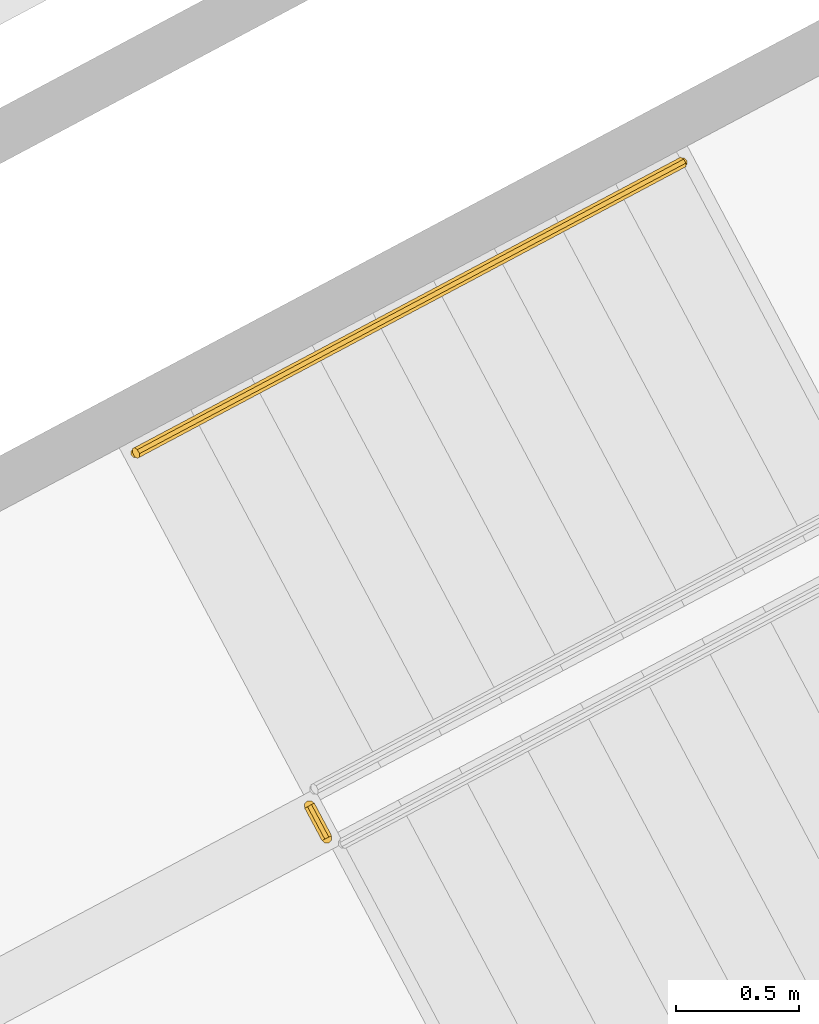
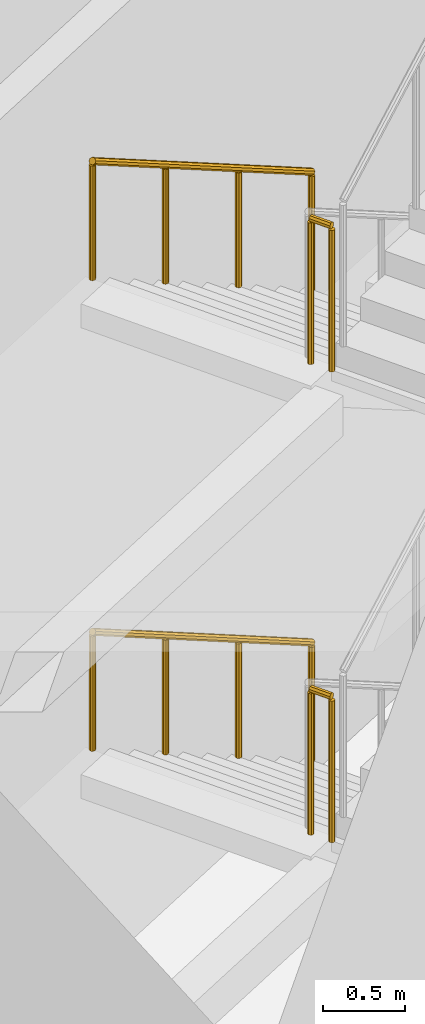
# One storey, part 51 of 57: 4 railings.
"""IFC4 building model written with IfcOpenShell, lengths in metres."""

from ifc_helpers import new_model, si_unit, direction, frame, origin, place, context, subcontext, project, spatial, polyline, outline, extrude, material, type_object, element, save


model = new_model("IFC4")

# Units and contexts
model_context = context("Model", 3, precision=1e-05, world=origin(), true_north=direction((0.0, 1.0)))
body_context = subcontext(model_context, "Body", "Model", "MODEL_VIEW")
ifc_project = project(units=[si_unit("LENGTHUNIT", "METRE"), si_unit("AREAUNIT", "SQUARE_METRE"), si_unit("VOLUMEUNIT", "CUBIC_METRE"), si_unit("PLANEANGLEUNIT", "RADIAN"), si_unit("MASSUNIT", "GRAM", prefix="KILO")], contexts=[model_context])

# Site, building, storey
site_placement = place(None, origin())
site = spatial("IfcSite", under=ifc_project, at=site_placement, CompositionType="ELEMENT")
building_placement = place(site_placement, origin())
building = spatial("IfcBuilding", under=site, at=building_placement, Name="Cormorant Relay Tower", CompositionType="ELEMENT")
storey_placement = place(building_placement, origin())
storey = spatial("IfcBuildingStorey", under=building, at=storey_placement, Name="L00", CompositionType="ELEMENT", Elevation=0.0)

# Railings
ifc_material_1 = material(Name="Steel ASTM A572 Grade 50 (Fy 345 MPa)", Category="steel")
railing_type_1 = type_object("IfcRailingType", Name="Stair guard 1100", PredefinedType="GUARDRAIL", material=ifc_material_1)
for number, where, name in (
    (1, (21.592529296875, 3.439697265625, 1.75), "L00 B1 stair guard 2"),
    (2, (21.592529296875, 3.439697265625, 5.25), "L00 B1 stair guard 6"),
):
    element("IfcRailing", number, at=place(storey_placement, frame(where)), inside=storey, type_object=railing_type_1, Name=name, PredefinedType="GUARDRAIL", context=body_context, shape_type="SweptSolid", body=[
        extrude(outline(polyline([(0.022216796875, 0.00927734375), (0.00927734375, 0.022216796875), (-0.00927734375, 0.022216796875), (-0.022216796875, 0.00927734375), (-0.022216796875, -0.00927734375), (-0.00927734375, -0.022216796875), (0.00927734375, -0.022216796875), (0.022216796875, -0.00927734375), (0.022216796875, 0.00927734375)])), frame((0.0, 0.0, 1.076171875), z_axis=(0.470503732759, -0.882398003998, 0.0), x_axis=(0.882398003998, 0.470503732759, 0.0)), (0.0, 0.0, 1.0), 0.14990234375),
        extrude(outline(polyline([(0.019287109375, 0.008056640625), (0.008056640625, 0.019287109375), (-0.008056640625, 0.019287109375), (-0.019287109375, 0.008056640625), (-0.019287109375, -0.008056640625), (-0.008056640625, -0.019287109375), (0.008056640625, -0.019287109375), (0.019287109375, -0.008056640625), (0.019287109375, 0.008056640625)])), origin(), (0.0, 0.0, 1.0), 1.052001953125),
        extrude(outline(polyline([(0.019287109375, 0.008056640625), (0.008056640625, 0.019287109375), (-0.008056640625, 0.019287109375), (-0.019287109375, 0.008056640625), (-0.019287109375, -0.008056640625), (-0.008056640625, -0.019287109375), (0.008056640625, -0.019287109375), (0.019287109375, -0.008056640625), (0.019287109375, 0.008056640625)])), frame((0.070556640625, -0.13232421875, 0.0)), (0.0, 0.0, 1.0), 1.052001953125),
    ])
ifc_material_2 = material(Name="Steel ASTM A572 Grade 50 (Fy 345 MPa)", Category="steel")
railing_type_2 = type_object("IfcRailingType", Name="Stair handrail 900", PredefinedType="HANDRAIL", material=ifc_material_2)
railing_1_placement = place(storey_placement, frame((23.110595703125, 6.05908203125, 0.175048828125)))
element("IfcRailing", 3, at=railing_1_placement, inside=storey, type_object=railing_type_2, Name="L00 B1 stair handrail 1", PredefinedType="HANDRAIL", context=body_context, shape_type="SweptSolid", body=[
    extrude(outline(polyline([(0.022216796875, 0.00927734375), (0.00927734375, 0.022216796875), (-0.00927734375, 0.022216796875), (-0.022216796875, 0.00927734375), (-0.022216796875, -0.00927734375), (-0.00927734375, -0.022216796875), (0.00927734375, -0.022216796875), (0.022216796875, -0.00927734375), (0.022216796875, 0.00927734375)])), frame((0.0, 0.0, 0.8759765625), z_axis=(-0.74875116571, -0.398118076479, 0.529975177748), x_axis=(0.4694715809, -0.882947583228, 0.0)), (0.0, 0.0, 1.0), 2.9716796875),
    extrude(outline(polyline([(0.019287109375, 0.008056640625), (0.008056640625, 0.019287109375), (-0.008056640625, 0.019287109375), (-0.019287109375, 0.008056640625), (-0.019287109375, -0.008056640625), (-0.008056640625, -0.019287109375), (0.008056640625, -0.019287109375), (0.019287109375, -0.008056640625), (0.019287109375, 0.008056640625)])), origin(), (0.0, 0.0, 1.0), 0.851806640625),
    extrude(outline(polyline([(0.019287109375, 0.008056640625), (0.008056640625, 0.019287109375), (-0.008056640625, 0.019287109375), (-0.019287109375, 0.008056640625), (-0.019287109375, -0.008056640625), (-0.008056640625, -0.019287109375), (0.008056640625, -0.019287109375), (0.019287109375, -0.008056640625), (0.019287109375, 0.008056640625)])), frame((-0.74169921875, -0.394287109375, 0.52490234375)), (0.0, 0.0, 1.0), 0.851806640625),
    extrude(outline(polyline([(0.019287109375, 0.008056640625), (0.008056640625, 0.019287109375), (-0.008056640625, 0.019287109375), (-0.019287109375, 0.008056640625), (-0.019287109375, -0.008056640625), (-0.008056640625, -0.019287109375), (0.008056640625, -0.019287109375), (0.019287109375, -0.008056640625), (0.019287109375, 0.008056640625)])), frame((-1.4833984375, -0.788818359375, 1.050048828125)), (0.0, 0.0, 1.0), 0.851806640625),
    extrude(outline(polyline([(0.019287109375, 0.008056640625), (0.008056640625, 0.019287109375), (-0.008056640625, 0.019287109375), (-0.019287109375, 0.008056640625), (-0.019287109375, -0.008056640625), (-0.008056640625, -0.019287109375), (0.008056640625, -0.019287109375), (0.019287109375, -0.008056640625), (0.019287109375, 0.008056640625)])), frame((-2.22509765625, -1.18310546875, 1.574951171875)), (0.0, 0.0, 1.0), 0.851806640625),
])
railing_2_placement = place(storey_placement, frame((23.110595703125, 6.05908203125, 3.675048828125)))
element("IfcRailing", 4, at=railing_2_placement, inside=storey, type_object=railing_type_2, Name="L00 B1 stair handrail 3", PredefinedType="HANDRAIL", context=body_context, shape_type="SweptSolid", body=[
    extrude(outline(polyline([(0.022216796875, 0.00927734375), (0.00927734375, 0.022216796875), (-0.00927734375, 0.022216796875), (-0.022216796875, 0.00927734375), (-0.022216796875, -0.00927734375), (-0.00927734375, -0.022216796875), (0.00927734375, -0.022216796875), (0.022216796875, -0.00927734375), (0.022216796875, 0.00927734375)])), frame((0.0, 0.0, 0.8759765625), z_axis=(-0.74875116571, -0.398118076479, 0.529975177748), x_axis=(0.4694715809, -0.882947583228, 0.0)), (0.0, 0.0, 1.0), 2.9716796875),
    extrude(outline(polyline([(0.019287109375, 0.008056640625), (0.008056640625, 0.019287109375), (-0.008056640625, 0.019287109375), (-0.019287109375, 0.008056640625), (-0.019287109375, -0.008056640625), (-0.008056640625, -0.019287109375), (0.008056640625, -0.019287109375), (0.019287109375, -0.008056640625), (0.019287109375, 0.008056640625)])), origin(), (0.0, 0.0, 1.0), 0.851806640625),
    extrude(outline(polyline([(0.019287109375, 0.008056640625), (0.008056640625, 0.019287109375), (-0.008056640625, 0.019287109375), (-0.019287109375, 0.008056640625), (-0.019287109375, -0.008056640625), (-0.008056640625, -0.019287109375), (0.008056640625, -0.019287109375), (0.019287109375, -0.008056640625), (0.019287109375, 0.008056640625)])), frame((-0.74169921875, -0.394287109375, 0.52490234375)), (0.0, 0.0, 1.0), 0.851806640625),
    extrude(outline(polyline([(0.019287109375, 0.008056640625), (0.008056640625, 0.019287109375), (-0.008056640625, 0.019287109375), (-0.019287109375, 0.008056640625), (-0.019287109375, -0.008056640625), (-0.008056640625, -0.019287109375), (0.008056640625, -0.019287109375), (0.019287109375, -0.008056640625), (0.019287109375, 0.008056640625)])), frame((-1.4833984375, -0.788818359375, 1.050048828125)), (0.0, 0.0, 1.0), 0.851806640625),
    extrude(outline(polyline([(0.019287109375, 0.008056640625), (0.008056640625, 0.019287109375), (-0.008056640625, 0.019287109375), (-0.019287109375, 0.008056640625), (-0.019287109375, -0.008056640625), (-0.008056640625, -0.019287109375), (0.008056640625, -0.019287109375), (0.019287109375, -0.008056640625), (0.019287109375, 0.008056640625)])), frame((-2.22509765625, -1.18310546875, 1.574951171875)), (0.0, 0.0, 1.0), 0.851806640625),
])

save(model, "model.ifc")
